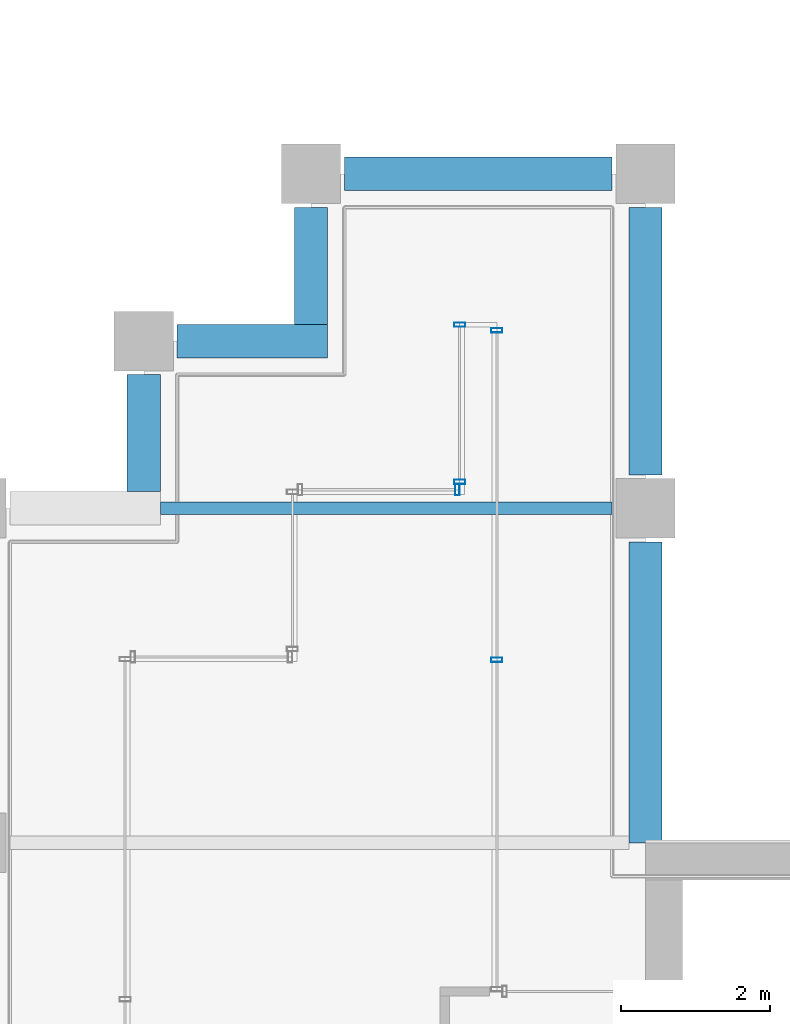
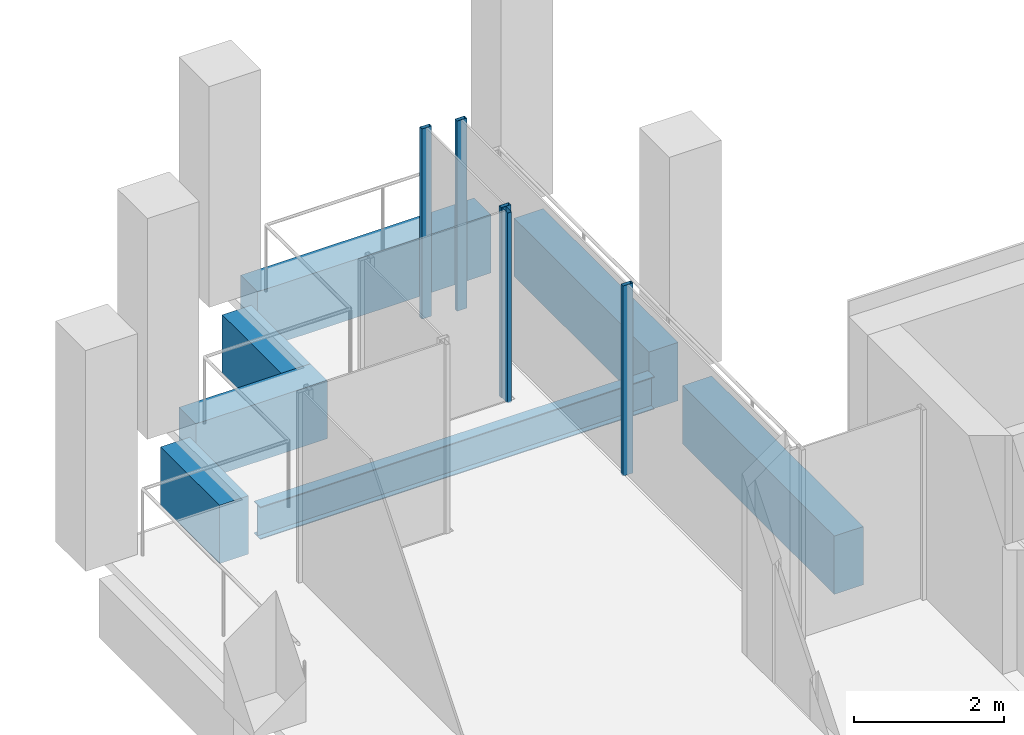
# One storey, part 33 of 40: 7 beams, 5 members, 3 elements without a shape of their own.
"""IFC4 building model written with IfcOpenShell, lengths in metres."""

from ifc_helpers import new_model, si_unit, direction, frame, origin, origin_2d, place, context, subcontext, project, spatial, rectangle, hollow_rectangle, i_section, extrude, material, material_profile, profile_set, type_object, element, aggregate, save


model = new_model("IFC4")

# Units and contexts
model_context = context("Model", 3, precision=1e-05, world=origin(), true_north=direction((0.0, 1.0)))
body_context = subcontext(model_context, "Body", "Model", "MODEL_VIEW")
ifc_project = project(units=[si_unit("LENGTHUNIT", "METRE"), si_unit("AREAUNIT", "SQUARE_METRE"), si_unit("VOLUMEUNIT", "CUBIC_METRE"), si_unit("PLANEANGLEUNIT", "RADIAN"), si_unit("MASSUNIT", "GRAM", prefix="KILO")], contexts=[model_context])

# Site, building, storey
site_placement = place(None, origin())
site = spatial("IfcSite", under=ifc_project, at=site_placement, CompositionType="ELEMENT")
building_placement = place(site_placement, origin())
building = spatial("IfcBuilding", under=site, at=building_placement, Name="Altepetl Exchange Towers", CompositionType="ELEMENT")
storey_placement = place(building_placement, frame((0.0, 0.0, 195.60009765625)))
storey = spatial("IfcBuildingStorey", under=building, at=storey_placement, Name="L49", CompositionType="ELEMENT", Elevation=195.60009765625)

# Beam
ifc_material_1 = material(Name="Steel S355", Category="steel")
ifc_material_profile_1 = material_profile(ifc_material_1, i_section(OverallWidth=0.166015625, OverallDepth=0.529052734375, WebThickness=0.009765625, FlangeThickness=0.013671875, at=origin_2d()), Name="W21X50")
ifc_profile_set_1 = profile_set([ifc_material_profile_1], Name="Steel S355")
beam_type_1 = type_object("IfcBeamType", Name="Floor beam W21X50", PredefinedType="BEAM", material=ifc_profile_set_1)
beam_1_placement = place(storey_placement, frame((96.97509765625, 54.0, -0.41455078125), z_axis=(1.0, 0.0, 0.0), x_axis=(0.0, 1.0, 0.0)))
element("IfcBeam", 1, at=beam_1_placement, inside=storey, type_object=beam_type_1, Name="bm:B:L49:007", PredefinedType="BEAM", context=body_context, shape_type="SweptSolid", body=[
    extrude(i_section(OverallWidth=0.166015625, OverallDepth=0.529052734375, WebThickness=0.009765625, FlangeThickness=0.013671875, at=origin_2d()), origin(), (0.0, 0.0, 1.0), 6.074951171875),
])

# Curtain wall, members
ifc_material_2 = material(Name="Aluminium 6063-T6 glazing", Category="aluminium")
curtain_wall_type = type_object("IfcCurtainWallType", Name="Loggia glazing system", PredefinedType="NOTDEFINED", material=ifc_material_2)
curtain_wall_1_placement = place(storey_placement, origin())
curtain_wall_1 = element("IfcCurtainWall", 2, at=curtain_wall_1_placement, inside=storey, type_object=curtain_wall_type, Name="CW1 run", PredefinedType="NOTDEFINED")
ifc_material_3 = material(Name="Aluminium 6063-T6", Category="aluminium")
ifc_material_profile_2 = material_profile(ifc_material_3, hollow_rectangle(XDim=0.06005859375, YDim=0.14990234375, WallThickness=0.0029296875, at=origin_2d()), Name="Mullion 60x150 aluminium")
ifc_profile_set_2 = profile_set([ifc_material_profile_2], Name="Aluminium 6063-T6")
member_type = type_object("IfcMemberType", Name="Mullion 60x150 aluminium", PredefinedType="MULLION", material=ifc_profile_set_2)
member_1_placement = place(storey_placement, frame((101.5, 51.96240234375, 0.0), z_axis=(0.0, 0.0, 1.0), x_axis=(0.0, 1.0, 0.0)))
member_1 = element("IfcMember", 3, at=member_1_placement, type_object=member_type, Name="MU1 mullion", PredefinedType="MULLION", context=body_context, shape_type="SweptSolid", body=[
    extrude(hollow_rectangle(XDim=0.06005859375, YDim=0.14990234375, WallThickness=0.0029296875, at=origin_2d()), origin(), (0.0, 0.0, 1.0), 3.099853515625),
])
member_2_placement = place(storey_placement, frame((101.5, 56.39501953125, 0.0), z_axis=(0.0, 0.0, 1.0), x_axis=(0.0, 1.0, 0.0)))
member_2 = element("IfcMember", 4, at=member_2_placement, type_object=member_type, Name="MU1 mullion", PredefinedType="MULLION", context=body_context, shape_type="SweptSolid", body=[
    extrude(hollow_rectangle(XDim=0.06005859375, YDim=0.14990234375, WallThickness=0.0029296875, at=origin_2d()), origin(), (0.0, 0.0, 1.0), 3.099853515625),
])
aggregate(curtain_wall_1, [member_1, member_2])

curtain_wall_2_placement = place(storey_placement, origin())
curtain_wall_2 = element("IfcCurtainWall", 5, at=curtain_wall_2_placement, inside=storey, type_object=curtain_wall_type, Name="CW1 run", PredefinedType="NOTDEFINED")
member_3_placement = place(storey_placement, frame((101.0, 56.469970703125, 0.0), z_axis=(0.0, 0.0, 1.0), x_axis=(0.0, -1.0, 0.0)))
member_3 = element("IfcMember", 6, at=member_3_placement, type_object=member_type, Name="MU1 mullion", PredefinedType="MULLION", context=body_context, shape_type="SweptSolid", body=[
    extrude(hollow_rectangle(XDim=0.06005859375, YDim=0.14990234375, WallThickness=0.0029296875, at=origin_2d()), origin(), (0.0, 0.0, 1.0), 3.099853515625),
])
member_4_placement = place(storey_placement, frame((101.0, 54.35498046875, 0.0), z_axis=(0.0, 0.0, 1.0), x_axis=(0.0, -1.0, 0.0)))
member_4 = element("IfcMember", 7, at=member_4_placement, type_object=member_type, Name="MU1 mullion", PredefinedType="MULLION", context=body_context, shape_type="SweptSolid", body=[
    extrude(hollow_rectangle(XDim=0.06005859375, YDim=0.14990234375, WallThickness=0.0029296875, at=origin_2d()), origin(), (0.0, 0.0, 1.0), 3.099853515625),
])
aggregate(curtain_wall_2, [member_3, member_4])

# Curtain wall, member
curtain_wall_3_placement = place(storey_placement, origin())
curtain_wall_3 = element("IfcCurtainWall", 8, at=curtain_wall_3_placement, inside=storey, type_object=curtain_wall_type, Name="CW1 run", PredefinedType="NOTDEFINED")
member_5_placement = place(storey_placement, frame((100.969970703125, 54.25, 0.0), z_axis=(0.0, 0.0, 1.0), x_axis=(-1.0, 0.0, 0.0)))
member_5 = element("IfcMember", 9, at=member_5_placement, type_object=member_type, Name="MU1 mullion", PredefinedType="MULLION", context=body_context, shape_type="SweptSolid", body=[
    extrude(hollow_rectangle(XDim=0.06005859375, YDim=0.14990234375, WallThickness=0.0029296875, at=origin_2d()), origin(), (0.0, 0.0, 1.0), 3.099853515625),
])
aggregate(curtain_wall_3, [member_5])

# Beams
ifc_material_4 = material(Name="Concrete C50/60 precast with cantera rosa facing", Category="concrete")
ifc_material_profile_3 = material_profile(ifc_material_4, rectangle(XDim=0.449951171875, YDim=0.949951171875, at=origin_2d()), Name="450 x 950")
ifc_profile_set_3 = profile_set([ifc_material_profile_3], Name="Concrete C50/60 precast with cantera rosa facing")
beam_type_2 = type_object("IfcBeamType", Name="Spandrel beam 450x950 cantera rosa", PredefinedType="SPANDREL", material=ifc_profile_set_3)
beam_2_placement = place(storey_placement, frame((103.5, 49.5, -0.625), z_axis=(0.0, 1.0, 0.0), x_axis=(-1.0, 0.0, 0.0)))
element("IfcBeam", 10, at=beam_2_placement, inside=storey, type_object=beam_type_2, Name="sp:B:L49:008", PredefinedType="SPANDREL", context=body_context, shape_type="SweptSolid", body=[
    extrude(rectangle(XDim=0.449951171875, YDim=0.949951171875, at=origin_2d()), origin(), (0.0, 0.0, 1.0), 4.050048828125),
])
for number, where, z_axis, x_axis, name in (
    (11, (103.5, 54.449951171875, -0.625), (0.0, 1.0, 0.0), (-1.0, 0.0, 0.0), "sp:B:L49:009"),
    (12, (103.050048828125, 58.5, -0.625), (-1.0, 0.0, 0.0), (0.0, -1.0, 0.0), "sp:B:L49:010"),
):
    element("IfcBeam", number, at=place(storey_placement, frame(where, z_axis=z_axis, x_axis=x_axis)), inside=storey, type_object=beam_type_2, Name=name, PredefinedType="SPANDREL", context=body_context, shape_type="SweptSolid", body=[
        extrude(rectangle(XDim=0.449951171875, YDim=0.949951171875, at=origin_2d()), origin(), (0.0, 0.0, 1.0), 3.60009765625),
    ])
beam_3_placement = place(storey_placement, frame((99.0, 58.050048828125, -0.625), z_axis=(0.0, -1.0, 0.0), x_axis=(1.0, 0.0, 0.0)))
element("IfcBeam", 13, at=beam_3_placement, inside=storey, type_object=beam_type_2, Name="sp:B:L49:011", PredefinedType="SPANDREL", context=body_context, shape_type="SweptSolid", body=[
    extrude(rectangle(XDim=0.449951171875, YDim=0.949951171875, at=origin_2d()), origin(), (0.0, 0.0, 1.0), 1.574951171875),
])
beam_4_placement = place(storey_placement, frame((99.22509765625, 56.25, -0.625), z_axis=(-1.0, 0.0, 0.0), x_axis=(0.0, -1.0, 0.0)))
element("IfcBeam", 14, at=beam_4_placement, inside=storey, type_object=beam_type_2, Name="sp:B:L49:012", PredefinedType="SPANDREL", context=body_context, shape_type="SweptSolid", body=[
    extrude(rectangle(XDim=0.449951171875, YDim=0.949951171875, at=origin_2d()), origin(), (0.0, 0.0, 1.0), 2.025146484375),
])
beam_5_placement = place(storey_placement, frame((96.75, 55.800048828125, -0.625), z_axis=(0.0, -1.0, 0.0), x_axis=(1.0, 0.0, 0.0)))
element("IfcBeam", 15, at=beam_5_placement, inside=storey, type_object=beam_type_2, Name="sp:B:L49:013", PredefinedType="SPANDREL", context=body_context, shape_type="SweptSolid", body=[
    extrude(rectangle(XDim=0.449951171875, YDim=0.949951171875, at=origin_2d()), origin(), (0.0, 0.0, 1.0), 1.574951171875),
])

save(model, "model.ifc")
